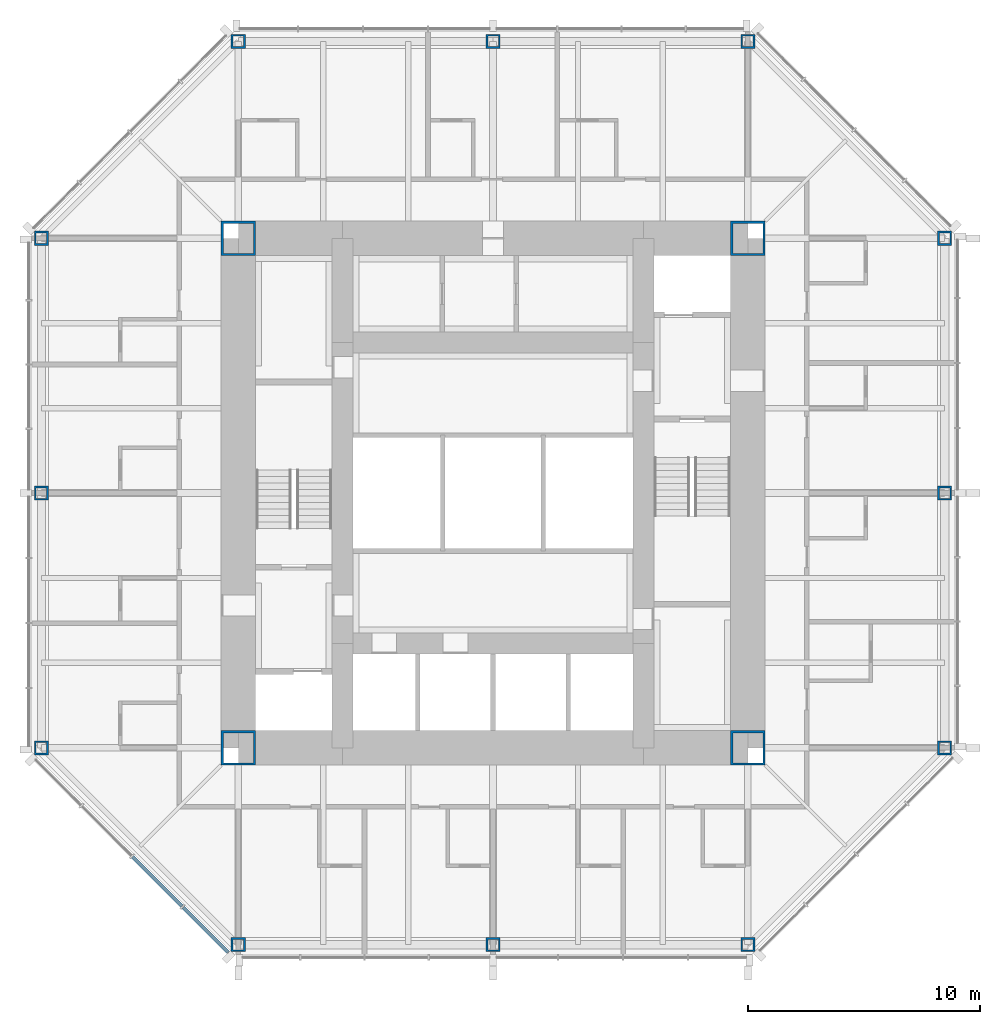
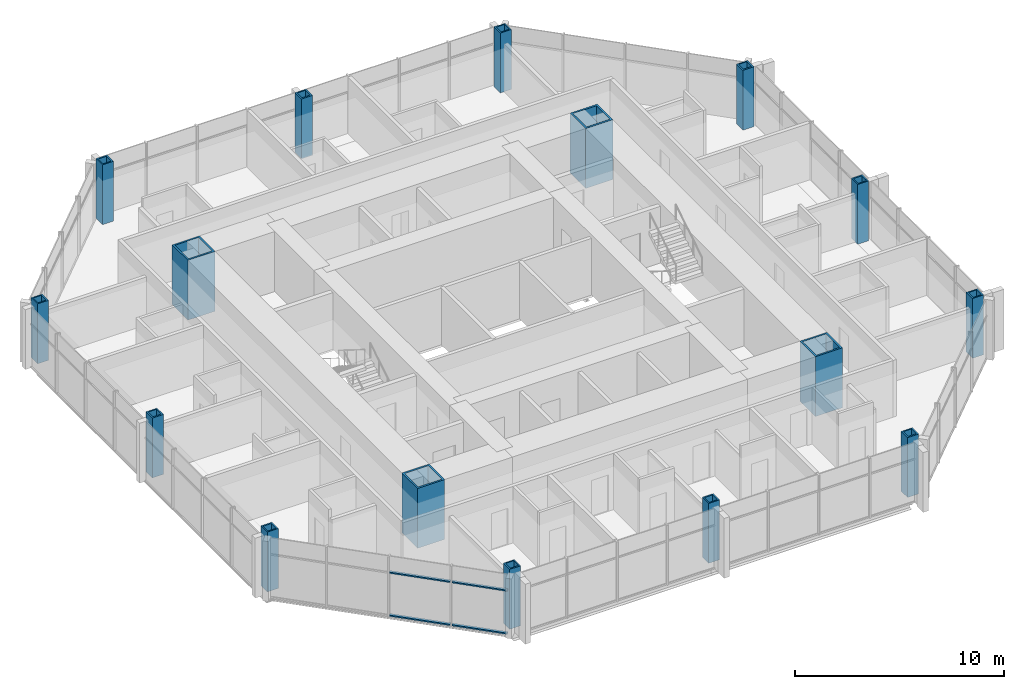
# One storey, part 1 of 12: 16 columns, 4 members, 1 element without a shape of its own.
"""IFC4 building model written with IfcOpenShell, lengths in metres."""

import ifcopenshell
import ifcopenshell.guid

model = None  # the IFC model being written
_history = None  # IfcOwnerHistory: only IFC2X3 demands one
_inside = {}  # id of a spatial element -> (the spatial element, [elements in it])
_under = {}  # id of a project, library or spatial element -> (it, [spatial elements below it])
_declared = {}  # id of a project -> (the project, [libraries it declares])
_typed = {}  # id of a type object -> (the type object, [elements of that type])
_made_of = {}  # id of a material, layer set ... -> (it, [elements and type objects made of it])


def new_model(schema):
    """Start an empty IFC model of exactly this schema.

    Asked for "IFC4X3", IfcOpenShell would pick the latest addendum, in which some entities
    have other attributes; the version numbers below select the first issue.
    IFC2X3 requires an IfcOwnerHistory on every rooted entity: one is made here for all.
    """
    global model, _history
    if schema == "IFC4X3":
        model = ifcopenshell.file(schema_version=(4, 3, 0, 0))
    else:
        model = ifcopenshell.file(schema=schema)
    _inside.clear()
    _under.clear()
    _declared.clear()
    _typed.clear()
    _made_of.clear()
    _history = None
    if model.schema == "IFC2X3":
        org = make("IfcOrganization", Name="unknown")
        user = make(
            "IfcPersonAndOrganization",
            ThePerson=make("IfcPerson", FamilyName="unknown"),
            TheOrganization=org,
        )
        app = make(
            "IfcApplication",
            ApplicationDeveloper=org,
            Version="unknown",
            ApplicationFullName="unknown",
            ApplicationIdentifier="unknown",
        )
        _history = make(
            "IfcOwnerHistory",
            OwningUser=user,
            OwningApplication=app,
            ChangeAction="ADDED",
            CreationDate=0,
        )
    return model


def make(cls, **values):
    """One entity of the class cls with the attributes given. An attribute that is None is left unset."""
    return model.create_entity(
        cls, **{name: value for name, value in values.items() if value is not None}
    )


def rooted(cls, **values):
    """An entity with a GlobalId (a new one), such as an element, a storey or a relation."""
    return make(cls, GlobalId=ifcopenshell.guid.new(), OwnerHistory=_history, **values)


def si_unit(unit_type, name, prefix=None):
    """IfcSIUnit, for example si_unit("LENGTHUNIT", "METRE", prefix="MILLI")."""
    return make("IfcSIUnit", UnitType=unit_type, Prefix=prefix, Name=name)


def assignment(units):
    """IfcUnitAssignment: the units of a project."""
    return None if units is None else make("IfcUnitAssignment", Units=units)


def point(xyz):
    """IfcCartesianPoint."""
    return None if xyz is None else make("IfcCartesianPoint", Coordinates=xyz)


def direction(xyz):
    """IfcDirection."""
    return None if xyz is None else make("IfcDirection", DirectionRatios=xyz)


def frame(location, z_axis=None, x_axis=None):
    """IfcAxis2Placement3D, a coordinate frame: its origin and axes. An axis left out is left unset."""
    return make(
        "IfcAxis2Placement3D",
        Location=point(location),
        Axis=direction(z_axis),
        RefDirection=direction(x_axis),
    )


def frame_2d(location, x_axis=None):
    """IfcAxis2Placement2D, a coordinate frame in the plane: its origin and x axis."""
    return make(
        "IfcAxis2Placement2D", Location=point(location), RefDirection=direction(x_axis)
    )


def origin():
    """The frame at (0, 0, 0) with its axes left unset."""
    return frame((0.0, 0.0, 0.0))


def origin_2d():
    """The frame at (0, 0) in the plane with its x axis left unset."""
    return frame_2d((0.0, 0.0))


def place(relative_to, where):
    """IfcLocalPlacement: puts the frame where relative to a parent placement (None: the world)."""
    return make(
        "IfcLocalPlacement", PlacementRelTo=relative_to, RelativePlacement=where
    )


def context(
    kind, dimensions, precision=None, world=None, true_north=None, identifier=None
):
    """IfcGeometricRepresentationContext, for example the 3D "Model" context."""
    return make(
        "IfcGeometricRepresentationContext",
        ContextIdentifier=identifier,
        ContextType=kind,
        CoordinateSpaceDimension=dimensions,
        Precision=precision,
        WorldCoordinateSystem=world,
        TrueNorth=true_north,
    )


def subcontext(parent, identifier, kind, view, scale=None):
    """IfcGeometricRepresentationSubContext, for example "Body" below "Model"."""
    return make(
        "IfcGeometricRepresentationSubContext",
        ContextIdentifier=identifier,
        ContextType=kind,
        ParentContext=parent,
        TargetScale=scale,
        TargetView=view,
    )


def project(units=None, contexts=None):
    """IfcProject with its units and contexts."""
    return rooted(
        "IfcProject",
        Name="project",
        RepresentationContexts=contexts,
        UnitsInContext=assignment(units),
    )


def spatial(cls, under=None, at=None, **own):
    """A site, building, storey or space (cls), placed at a placement, below another one or the project."""
    s = rooted(cls, ObjectPlacement=at, **own)
    if under is not None:
        _under.setdefault(under.id(), (under, []))[1].append(s)
    return s


def profile(cls, at=None, kind="AREA", **sizes):
    """A parametric profile (cls). Its sizes go by their IFC names, for example OverallWidth=200.0."""
    return make(cls, ProfileType=kind, Position=at, **sizes)


def rectangle(**sizes):
    """IfcRectangleProfileDef."""
    return profile("IfcRectangleProfileDef", **sizes)


def hollow_rectangle(**sizes):
    """IfcRectangleHollowProfileDef."""
    return profile("IfcRectangleHollowProfileDef", **sizes)


def extrude(swept, where, along, depth):
    """IfcExtrudedAreaSolid: the profile swept, set in the frame where, extruded along a direction by depth."""
    return make(
        "IfcExtrudedAreaSolid",
        SweptArea=swept,
        Position=where,
        ExtrudedDirection=direction(along),
        Depth=depth,
    )


def shape(context_of_items, identifier, shape_type, items):
    """IfcShapeRepresentation: the items that make up one representation, for example the "Body"."""
    return make(
        "IfcShapeRepresentation",
        ContextOfItems=context_of_items,
        RepresentationIdentifier=identifier,
        RepresentationType=shape_type,
        Items=items,
    )


def material(Name=None, Category=None):
    """IfcMaterial."""
    return make("IfcMaterial", Name=Name, Category=Category)


def material_profile(
    of_material, cross_section, Name=None, Category=None, Priority=None
):
    """IfcMaterialProfile: a cross section and its material."""
    return make(
        "IfcMaterialProfile",
        Name=Name,
        Material=of_material,
        Profile=cross_section,
        Priority=Priority,
        Category=Category,
    )


def profile_set(profiles, Name=None, composite=None):
    """IfcMaterialProfileSet."""
    return make(
        "IfcMaterialProfileSet",
        Name=Name,
        MaterialProfiles=profiles,
        CompositeProfile=composite,
    )


def made_of(thing, what):
    """Note that an element or type object is made of a material, layer set ...; save() writes the relation."""
    if what is not None:
        _made_of.setdefault(what.id(), (what, []))[1].append(thing)
    return thing


def type_object(cls, material=None, **own):
    """A type object (cls), such as IfcWallType, which elements share."""
    return made_of(rooted(cls, **own), material)


def element(
    cls,
    number,
    at=None,
    inside=None,
    cuts=None,
    type_object=None,
    material=None,
    context=None,
    identifier="Body",
    shape_type=None,
    held_by="IfcProductDefinitionShape",
    body=None,
    shapes=None,
    **own,
):
    """One element of the class cls, such as IfcWall. Its Tag is "e" and its number.

    at: its placement. inside: the storey or other place that contains it. cuts: it is an
    opening in that element (IfcRelVoidsElement). A single representation is given by context,
    identifier, shape_type and body (its items); several are given by shapes. held_by: the class
    of the entity that holds the representations. save() writes the other relations.
    """
    e = rooted(cls, Tag="e%d" % number, ObjectPlacement=at, **own)
    if body is not None:
        shapes = [shape(context, identifier, shape_type, body)]
    if shapes is not None:
        e.Representation = make(held_by, Representations=shapes)
    if inside is not None:
        _inside.setdefault(inside.id(), (inside, []))[1].append(e)
    if cuts is not None:
        rooted(
            "IfcRelVoidsElement", RelatingBuildingElement=cuts, RelatedOpeningElement=e
        )
    if type_object is not None:
        _typed.setdefault(type_object.id(), (type_object, []))[1].append(e)
    return made_of(e, material)


def aggregate(whole, parts):
    """IfcRelAggregates: a whole, such as a stair, and the parts it consists of."""
    return rooted("IfcRelAggregates", RelatingObject=whole, RelatedObjects=parts)


def save(model, path):
    """Write the relations noted so far, then the file.

    IfcRelAggregates (storeys below a building ...), IfcRelContainedInSpatialStructure (elements
    in a storey), IfcRelDefinesByType, IfcRelAssociatesMaterial and IfcRelDeclares: one each for
    every whole, place, type object, material and project.
    """
    for whole, parts in _under.values():
        aggregate(whole, parts)
    for where, things in _inside.values():
        rooted(
            "IfcRelContainedInSpatialStructure",
            RelatedElements=things,
            RelatingStructure=where,
        )
    for kind, things in _typed.values():
        rooted("IfcRelDefinesByType", RelatedObjects=things, RelatingType=kind)
    for what, things in _made_of.values():
        rooted("IfcRelAssociatesMaterial", RelatedObjects=things, RelatingMaterial=what)
    for by, libraries in _declared.values():
        rooted("IfcRelDeclares", RelatingContext=by, RelatedDefinitions=libraries)
    model.write(path)


model = new_model("IFC4")

# Units and contexts
model_context = context("Model", 3, precision=1e-05, world=origin(), true_north=direction((0.0, 1.0)))
body_context = subcontext(model_context, "Body", "Model", "MODEL_VIEW")
ifc_project = project(units=[si_unit("LENGTHUNIT", "METRE"), si_unit("AREAUNIT", "SQUARE_METRE"), si_unit("VOLUMEUNIT", "CUBIC_METRE"), si_unit("PLANEANGLEUNIT", "RADIAN"), si_unit("MASSUNIT", "GRAM", prefix="KILO")], contexts=[model_context])

# Site, building, storey
site_placement = place(None, origin())
site = spatial("IfcSite", under=ifc_project, at=site_placement, CompositionType="ELEMENT")
building_placement = place(site_placement, origin())
building = spatial("IfcBuilding", under=site, at=building_placement, Name="Trevanion Tower", CompositionType="ELEMENT")
storey_placement = place(building_placement, frame((0.0, 0.0, 204.699951171875)))
storey = spatial("IfcBuildingStorey", under=building, at=storey_placement, Name="L48", CompositionType="ELEMENT", Elevation=204.699951171875)

# Columns
ifc_material_1 = material(Name="Steel ASTM A572 Grade 50", Category="steel")
ifc_material_profile_1 = material_profile(ifc_material_1, hollow_rectangle(XDim=0.609619140625, YDim=0.609619140625, WallThickness=0.076171875, at=origin_2d()), Name="BOX24X24X3")
ifc_profile_set_1 = profile_set([ifc_material_profile_1], Name="Steel ASTM A572 Grade 50")
column_type_1 = type_object("IfcColumnType", Name="C5 BOX24X24X3", PredefinedType="COLUMN", material=ifc_profile_set_1)
for number, where, z_axis, x_axis, name in (
    (1, (-19.5, 0.0, 0.0), (0.0, 0.0, 1.0), (0.0, 1.0, 0.0), "C5 5/H L48"),
    (2, (-19.5, -11.0, 0.0), (0.0, 0.0, 1.0), (0.0, 1.0, 0.0), "C5 5/F L48"),
    (3, (-11.0, -19.5, 0.0), (0.0, 0.0, 1.0), (1.0, 0.0, 0.0), "C5 8/C L48"),
    (4, (0.0, -19.5, 0.0), (0.0, 0.0, 1.0), (1.0, 0.0, 0.0), "C5 10/C L48"),
    (5, (11.0, -19.5, 0.0), (0.0, 0.0, 1.0), (1.0, 0.0, 0.0), "C5 12/C L48"),
    (6, (19.5, -11.0, 0.0), (0.0, 0.0, 1.0), (0.0, 1.0, 0.0), "C5 15/F L48"),
    (7, (19.5, 0.0, 0.0), (0.0, 0.0, 1.0), (0.0, 1.0, 0.0), "C5 15/H L48"),
    (8, (19.5, 11.0, 0.0), (0.0, 0.0, 1.0), (0.0, 1.0, 0.0), "C5 15/K L48"),
    (9, (11.0, 19.5, 0.0), (0.0, 0.0, 1.0), (1.0, 0.0, 0.0), "C5 12/N L48"),
    (10, (0.0, 19.5, 0.0), (0.0, 0.0, 1.0), (1.0, 0.0, 0.0), "C5 10/N L48"),
    (11, (-11.0, 19.5, 0.0), (0.0, 0.0, 1.0), (1.0, 0.0, 0.0), "C5 8/N L48"),
    (12, (-19.5, 11.0, 0.0), (0.0, 0.0, 1.0), (0.0, 1.0, 0.0), "C5 5/K L48"),
):
    element("IfcColumn", number, at=place(storey_placement, frame(where, z_axis=z_axis, x_axis=x_axis)), inside=storey, type_object=column_type_1, Name=name, PredefinedType="COLUMN", context=body_context, shape_type="SweptSolid", body=[
        extrude(hollow_rectangle(XDim=0.609619140625, YDim=0.609619140625, WallThickness=0.076171875, at=origin_2d()), origin(), (0.0, 0.0, 1.0), 3.5),
    ])
ifc_material_2 = material(Name="Steel ASTM A572 Grade 50", Category="steel")
ifc_material_profile_2 = material_profile(ifc_material_2, hollow_rectangle(XDim=1.49853515625, YDim=1.49853515625, WallThickness=0.1015625, at=origin_2d()), Name="BOX59X59X4")
ifc_profile_set_2 = profile_set([ifc_material_profile_2], Name="Steel ASTM A572 Grade 50")
column_type_2 = type_object("IfcColumnType", Name="CB1 BOX59X59X4", PredefinedType="COLUMN", material=ifc_profile_set_2)
for number, where, z_axis, x_axis, name in (
    (13, (11.0, 11.0, 0.0), (0.0, 0.0, 1.0), (1.0, 0.0, 0.0), "CB1 NE L48"),
    (14, (-11.0, 11.0, 0.0), (0.0, 0.0, 1.0), (1.0, 0.0, 0.0), "CB1 NW L48"),
    (15, (-11.0, -11.0, 0.0), (0.0, 0.0, 1.0), (1.0, 0.0, 0.0), "CB1 SW L48"),
    (16, (11.0, -11.0, 0.0), (0.0, 0.0, 1.0), (1.0, 0.0, 0.0), "CB1 SE L48"),
):
    element("IfcColumn", number, at=place(storey_placement, frame(where, z_axis=z_axis, x_axis=x_axis)), inside=storey, type_object=column_type_2, Name=name, PredefinedType="COLUMN", context=body_context, shape_type="SweptSolid", body=[
        extrude(hollow_rectangle(XDim=1.49853515625, YDim=1.49853515625, WallThickness=0.1015625, at=origin_2d()), origin(), (0.0, 0.0, 1.0), 3.5),
    ])

# Curtain wall, members
ifc_material_3 = material(Name="Aluminium and glass", Category="aluminium")
curtain_wall_type = type_object("IfcCurtainWallType", Name="CW3 curtain wall", PredefinedType="USERDEFINED", material=ifc_material_3)
curtain_wall_placement = place(storey_placement, origin())
curtain_wall = element("IfcCurtainWall", 17, at=curtain_wall_placement, inside=storey, type_object=curtain_wall_type, Name="CW3 L48 5", ObjectType="UNITISED CURTAIN WALL", PredefinedType="USERDEFINED")
ifc_material_4 = material(Name="Aluminium extrusion, anodised bronze", Category="aluminium")
ifc_material_profile_3 = material_profile(ifc_material_4, rectangle(XDim=0.14990234375, YDim=0.074951171875, at=origin_2d()), Name="CW3 transom")
ifc_profile_set_3 = profile_set([ifc_material_profile_3], Name="Aluminium extrusion, anodised bronze")
member_type = type_object("IfcMemberType", Name="CW3 transom", PredefinedType="USERDEFINED", material=ifc_profile_set_3)
member_1_placement = place(storey_placement, frame((-15.56640625, -15.71142578125, -0.15234375), z_axis=(0.707106781187, -0.707106781187, 0.0), x_axis=(0.707106781187, 0.707106781187, 0.0)))
member_1 = element("IfcMember", 18, at=member_1_placement, type_object=member_type, Name="CW3 transom 3.1", ObjectType="TRANSOM", PredefinedType="USERDEFINED", context=body_context, shape_type="SweptSolid", body=[
    extrude(rectangle(XDim=0.14990234375, YDim=0.074951171875, at=origin_2d()), origin(), (0.0, 0.0, 1.0), 3.011474609375),
])
member_2_placement = place(storey_placement, frame((-15.56640625, -15.71142578125, 2.360107421875), z_axis=(0.707106781187, -0.707106781187, 0.0), x_axis=(0.707106781187, 0.707106781187, 0.0)))
member_2 = element("IfcMember", 19, at=member_2_placement, type_object=member_type, Name="CW3 transom 3.2", ObjectType="TRANSOM", PredefinedType="USERDEFINED", context=body_context, shape_type="SweptSolid", body=[
    extrude(rectangle(XDim=0.14990234375, YDim=0.074951171875, at=origin_2d()), origin(), (0.0, 0.0, 1.0), 3.011474609375),
])
member_3_placement = place(storey_placement, frame((-13.3837890625, -17.89404296875, -0.15234375), z_axis=(0.707106781187, -0.707106781187, 0.0), x_axis=(0.707106781187, 0.707106781187, 0.0)))
member_3 = element("IfcMember", 20, at=member_3_placement, type_object=member_type, Name="CW3 transom 4.1", ObjectType="TRANSOM", PredefinedType="USERDEFINED", context=body_context, shape_type="SweptSolid", body=[
    extrude(rectangle(XDim=0.14990234375, YDim=0.074951171875, at=origin_2d()), origin(), (0.0, 0.0, 1.0), 2.7490234375),
])
member_4_placement = place(storey_placement, frame((-13.3837890625, -17.89404296875, 2.360107421875), z_axis=(0.707106781187, -0.707106781187, 0.0), x_axis=(0.707106781187, 0.707106781187, 0.0)))
member_4 = element("IfcMember", 21, at=member_4_placement, type_object=member_type, Name="CW3 transom 4.2", ObjectType="TRANSOM", PredefinedType="USERDEFINED", context=body_context, shape_type="SweptSolid", body=[
    extrude(rectangle(XDim=0.14990234375, YDim=0.074951171875, at=origin_2d()), origin(), (0.0, 0.0, 1.0), 2.7490234375),
])
aggregate(curtain_wall, [member_1, member_2, member_3, member_4])

save(model, "model.ifc")
